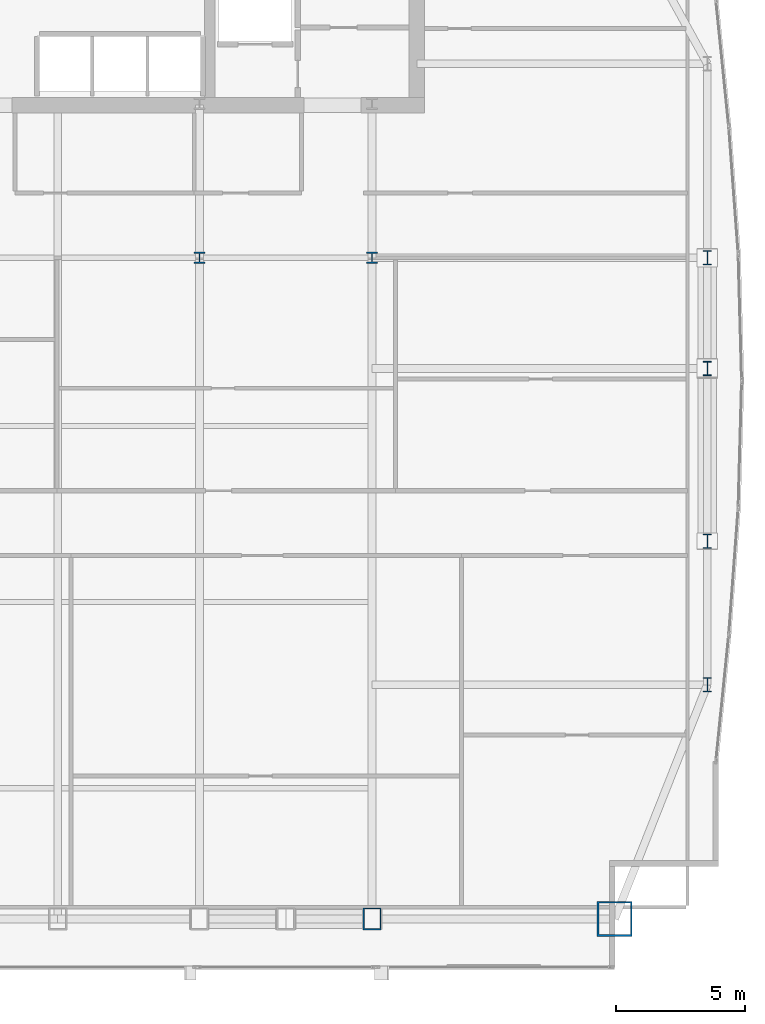
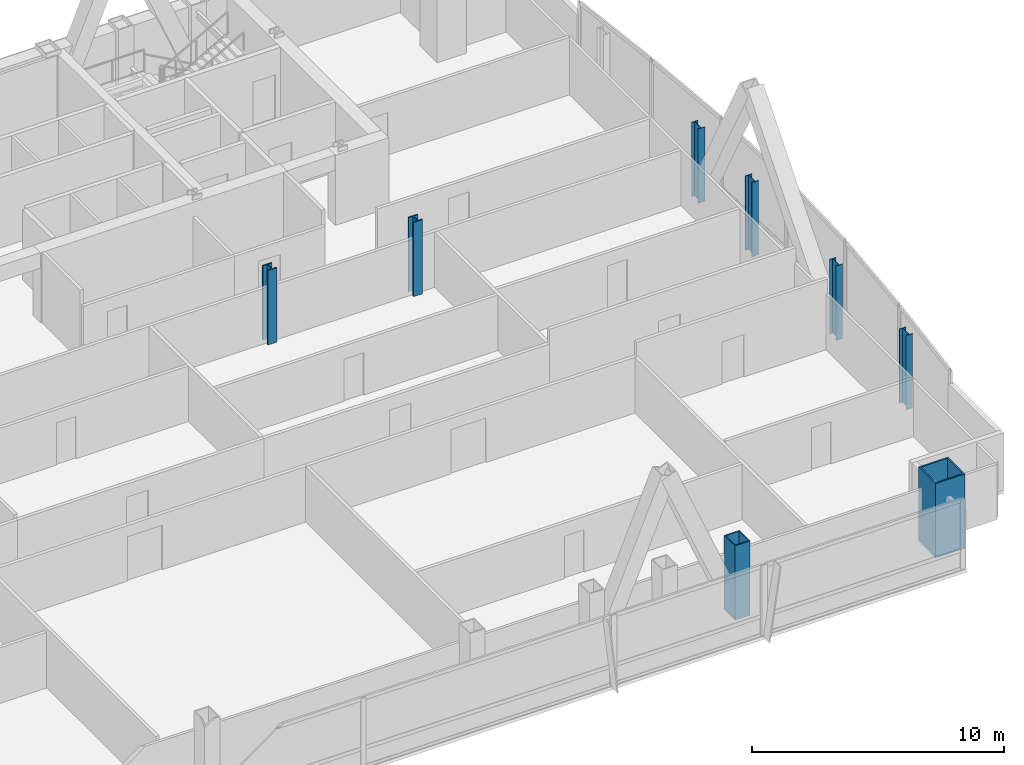
# One storey, part 2 of 29: 8 columns.
"""IFC4 building model written with IfcOpenShell, lengths in metres."""

from ifc_helpers import new_model, si_unit, direction, frame, origin, origin_2d, place, context, subcontext, project, spatial, hollow_rectangle, i_section, extrude, material, material_profile, profile_set, type_object, element, save


model = new_model("IFC4")

# Units and contexts
model_context = context("Model", 3, precision=1e-05, world=origin(), true_north=direction((0.0, 1.0)))
body_context = subcontext(model_context, "Body", "Model", "MODEL_VIEW")
ifc_project = project(units=[si_unit("LENGTHUNIT", "METRE"), si_unit("AREAUNIT", "SQUARE_METRE"), si_unit("VOLUMEUNIT", "CUBIC_METRE"), si_unit("PLANEANGLEUNIT", "RADIAN"), si_unit("MASSUNIT", "GRAM", prefix="KILO")], contexts=[model_context])

# Site, building, storey
site_placement = place(None, origin())
site = spatial("IfcSite", under=ifc_project, at=site_placement, CompositionType="ELEMENT")
building_placement = place(site_placement, origin())
building = spatial("IfcBuilding", under=site, at=building_placement, Name="Khoronbel Lancet Exchange", CompositionType="ELEMENT")
storey_placement = place(building_placement, frame((0.0, 0.0, 180.60009765625)))
storey = spatial("IfcBuildingStorey", under=building, at=storey_placement, Name="L45", CompositionType="ELEMENT", Elevation=180.60009765625)

# Columns
ifc_material_1 = material(Name="Steel S460", Category="steel")
ifc_material_profile_1 = material_profile(ifc_material_1, hollow_rectangle(XDim=0.699951171875, YDim=0.85009765625, WallThickness=0.050048828125, at=origin_2d()), Name="BOX 850x700x50")
ifc_profile_set_1 = profile_set([ifc_material_profile_1], Name="Steel S460")
column_type_1 = type_object("IfcColumnType", Name="COL-EC2", PredefinedType="COLUMN", material=ifc_profile_set_1)
column_1_placement = place(storey_placement, frame((54.675048828125, 10.14990234375, 0.0), z_axis=(0.0, 0.0, 1.0), x_axis=(1.0, 0.0, 0.0)))
element("IfcColumn", 1, at=column_1_placement, inside=storey, type_object=column_type_1, Name="Structural column SC-E2 L45", PredefinedType="COLUMN", context=body_context, shape_type="SweptSolid", body=[
    extrude(hollow_rectangle(XDim=0.699951171875, YDim=0.85009765625, WallThickness=0.050048828125, at=origin_2d()), origin(), (0.0, 0.0, 1.0), 3.599853515625),
])
ifc_material_profile_2 = material_profile(ifc_material_1, i_section(OverallWidth=0.416015625, OverallDepth=0.446044921875, WebThickness=0.0390625, FlangeThickness=0.062744140625, at=origin_2d()), Name="HD 400x509")
ifc_profile_set_2 = profile_set([ifc_material_profile_2], Name="Steel S460")
column_type_2 = type_object("IfcColumnType", Name="COL-IC2", PredefinedType="COLUMN", material=ifc_profile_set_2)
for number, where, z_axis, x_axis, name in (
    (2, (48.0, 35.699951171875, 0.0), (0.0, 0.0, 1.0), (1.0, 0.0, 0.0), "Spine gravity column TC3 L45"),
    (3, (54.675048828125, 35.699951171875, 0.0), (0.0, 0.0, 1.0), (1.0, 0.0, 0.0), "Spine gravity column TC4 L45"),
):
    element("IfcColumn", number, at=place(storey_placement, frame(where, z_axis=z_axis, x_axis=x_axis)), inside=storey, type_object=column_type_2, Name=name, PredefinedType="COLUMN", context=body_context, shape_type="SweptSolid", body=[
        extrude(i_section(OverallWidth=0.416015625, OverallDepth=0.446044921875, WebThickness=0.0390625, FlangeThickness=0.062744140625, at=origin_2d()), origin(), (0.0, 0.0, 1.0), 3.599853515625),
    ])
ifc_material_2 = material(Name="Steel S355", Category="steel")
ifc_material_profile_3 = material_profile(ifc_material_2, i_section(OverallWidth=0.300048828125, OverallDepth=0.550048828125, WebThickness=0.014892578125, FlangeThickness=0.029052734375, at=origin_2d()), Name="HEB 550")
ifc_profile_set_3 = profile_set([ifc_material_profile_3], Name="Steel S355")
column_type_3 = type_object("IfcColumnType", Name="COL-LC1", PredefinedType="COLUMN", material=ifc_profile_set_3)
for number, where, z_axis, x_axis, name in (
    (4, (67.6298828125, 19.199951171875, 0.0), (0.0, 0.0, 1.0), (1.0, 0.0, 0.0), "Structural column EC-1 L45"),
    (5, (67.6298828125, 24.75, 0.0), (0.0, 0.0, 1.0), (1.0, 0.0, 0.0), "Structural column EC-2 L45"),
    (6, (67.6298828125, 31.425048828125, 0.0), (0.0, 0.0, 1.0), (1.0, 0.0, 0.0), "Structural column EC-M L45"),
    (7, (67.6298828125, 35.699951171875, 0.0), (0.0, 0.0, 1.0), (1.0, 0.0, 0.0), "Structural column EC-3 L45"),
):
    element("IfcColumn", number, at=place(storey_placement, frame(where, z_axis=z_axis, x_axis=x_axis)), inside=storey, type_object=column_type_3, Name=name, PredefinedType="COLUMN", context=body_context, shape_type="SweptSolid", body=[
        extrude(i_section(OverallWidth=0.300048828125, OverallDepth=0.550048828125, WebThickness=0.014892578125, FlangeThickness=0.029052734375, at=origin_2d()), origin(), (0.0, 0.0, 1.0), 3.599853515625),
    ])
ifc_material_profile_4 = material_profile(ifc_material_1, hollow_rectangle(XDim=1.35009765625, YDim=1.35009765625, WallThickness=0.06494140625, at=origin_2d()), Name="BOX 1350x1350x65")
ifc_profile_set_4 = profile_set([ifc_material_profile_4], Name="Steel S460")
column_type_4 = type_object("IfcColumnType", Name="COL-MC4", PredefinedType="COLUMN", material=ifc_profile_set_4)
column_2_placement = place(storey_placement, frame((64.050048828125, 10.14990234375, 0.0), z_axis=(0.0, 0.0, 1.0), x_axis=(1.0, 0.0, 0.0)))
element("IfcColumn", 8, at=column_2_placement, inside=storey, type_object=column_type_4, Name="Structural column MC-SE L45", PredefinedType="COLUMN", context=body_context, shape_type="SweptSolid", body=[
    extrude(hollow_rectangle(XDim=1.35009765625, YDim=1.35009765625, WallThickness=0.06494140625, at=origin_2d()), origin(), (0.0, 0.0, 1.0), 3.599853515625),
])

save(model, "model.ifc")
